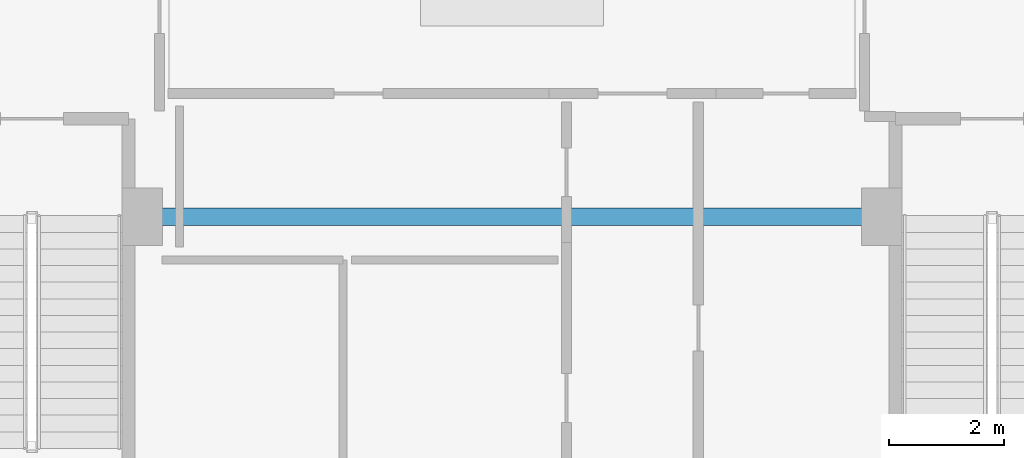
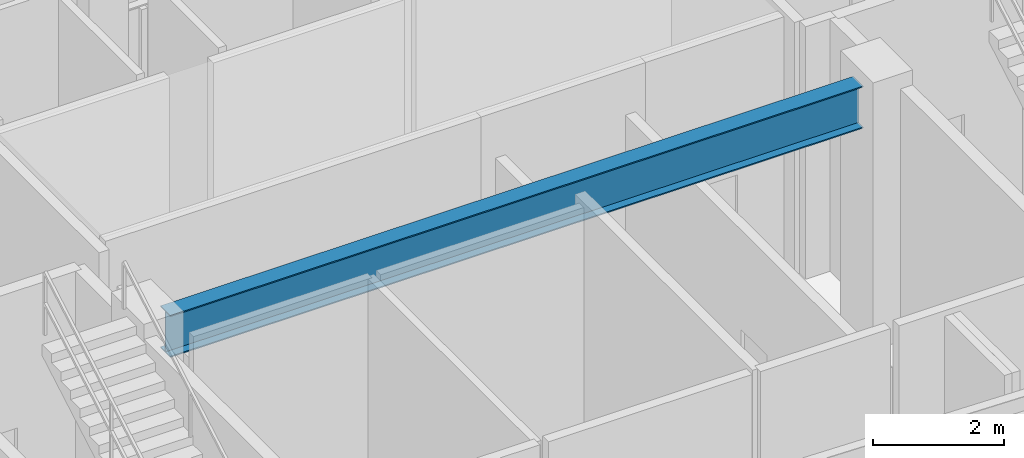
# One storey, part 6 of 24: 1 beam.
"""IFC4 building model written with IfcOpenShell, lengths in metres."""

from ifc_helpers import new_model, si_unit, direction, frame, origin, origin_2d, place, context, subcontext, project, spatial, i_section, extrude, material, material_profile, profile_set, type_object, element, save


model = new_model("IFC4")

# Units and contexts
model_context = context("Model", 3, precision=1e-05, world=origin(), true_north=direction((0.0, 1.0)))
body_context = subcontext(model_context, "Body", "Model", "MODEL_VIEW")
ifc_project = project(units=[si_unit("LENGTHUNIT", "METRE"), si_unit("AREAUNIT", "SQUARE_METRE"), si_unit("VOLUMEUNIT", "CUBIC_METRE"), si_unit("PLANEANGLEUNIT", "RADIAN"), si_unit("MASSUNIT", "GRAM", prefix="KILO")], contexts=[model_context])

# Site, building, storey
site_placement = place(None, origin())
site = spatial("IfcSite", under=ifc_project, at=site_placement, CompositionType="ELEMENT")
building_placement = place(site_placement, origin())
building = spatial("IfcBuilding", under=site, at=building_placement, Name="Vorneva Point Tower", CompositionType="ELEMENT")
storey_placement = place(building_placement, frame((0.0, 0.0, 290.39990234375)))
storey = spatial("IfcBuildingStorey", under=building, at=storey_placement, Name="L78", CompositionType="ELEMENT", Elevation=290.39990234375)

# Beam
ifc_material = material(Name="Steel S355", Category="steel")
ifc_material_profile = material_profile(ifc_material, i_section(OverallWidth=0.300048828125, OverallDepth=0.7880859375, WebThickness=0.014404296875, FlangeThickness=0.02197265625, at=origin_2d()), Name="80Sh1")
ifc_profile_set = profile_set([ifc_material_profile], Name="Steel S355")
beam_type = type_object("IfcBeamType", Name="BM-GRD-80Sh1", PredefinedType="USERDEFINED", material=ifc_profile_set)
beam_placement = place(storey_placement, frame((31.8701171875, 22.199951171875, 4.326171875), z_axis=(1.0, 0.0, 0.0), x_axis=(0.0, 1.0, 0.0)))
element("IfcBeam", 1, at=beam_placement, inside=storey, type_object=beam_type, Name="L78 Core Tie Girder CT7", ObjectType="GIRDER", PredefinedType="USERDEFINED", context=body_context, shape_type="SweptSolid", body=[
    extrude(i_section(OverallWidth=0.300048828125, OverallDepth=0.7880859375, WebThickness=0.014404296875, FlangeThickness=0.02197265625, at=origin_2d()), origin(), (0.0, 0.0, 1.0), 12.259765625),
])

save(model, "model.ifc")
